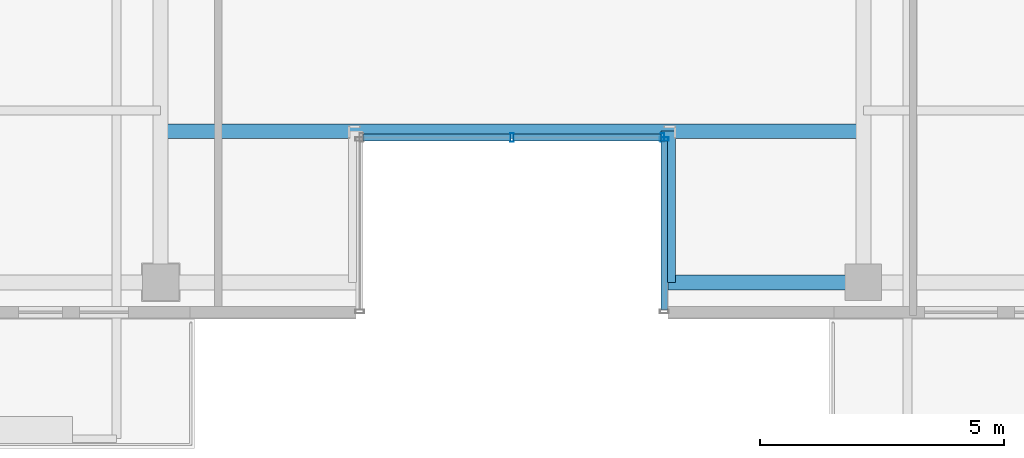
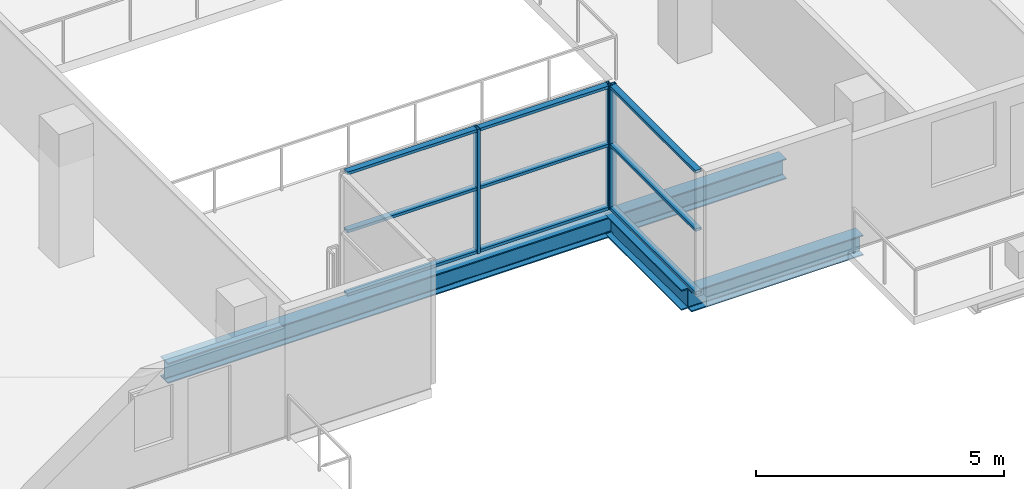
# One storey, part 7 of 25: 12 members, 3 beams, 2 elements without a shape of their own.
"""IFC4 building model written with IfcOpenShell, lengths in metres."""

from ifc_helpers import new_model, si_unit, direction, frame, origin, origin_2d, place, context, subcontext, project, spatial, hollow_rectangle, i_section, extrude, source, transform, mapped, material, layer, layer_set, material_profile, profile_set, type_object, element, aggregate, save


model = new_model("IFC4")

# Units and contexts
model_context = context("Model", 3, precision=1e-05, world=origin(), true_north=direction((0.0, 1.0)))
body_context = subcontext(model_context, "Body", "Model", "MODEL_VIEW")
ifc_project = project(units=[si_unit("LENGTHUNIT", "METRE"), si_unit("AREAUNIT", "SQUARE_METRE"), si_unit("VOLUMEUNIT", "CUBIC_METRE"), si_unit("PLANEANGLEUNIT", "RADIAN"), si_unit("MASSUNIT", "GRAM", prefix="KILO")], contexts=[model_context])

# Site, building, storey
site_placement = place(None, origin())
site = spatial("IfcSite", under=ifc_project, at=site_placement, CompositionType="ELEMENT")
building_placement = place(site_placement, origin())
building = spatial("IfcBuilding", under=site, at=building_placement, Name="Zarnakvel Exchange Tower", CompositionType="ELEMENT")
storey_placement = place(building_placement, frame((0.0, 0.0, 156.10009765625)))
storey = spatial("IfcBuildingStorey", under=building, at=storey_placement, Name="L43", CompositionType="ELEMENT", Elevation=156.10009765625)

# Beams
ifc_material_1 = material(Name="Steel S355", Category="steel")
ifc_material_profile_1 = material_profile(ifc_material_1, i_section(OverallWidth=0.300048828125, OverallDepth=0.5, WebThickness=0.014404296875, FlangeThickness=0.028076171875, FilletRadius=0.027099609375, at=origin_2d()))
ifc_profile_set_1 = profile_set([ifc_material_profile_1], Name="Steel S355")
beam_type_1 = type_object("IfcBeamType", Name="G-06", PredefinedType="BEAM", material=ifc_profile_set_1)
beam_1_placement = place(storey_placement, frame((3.199951171875, -16.64990234375, -0.47509765625), z_axis=(0.0, 1.0, 0.0), x_axis=(-1.0, 0.0, 0.0)))
element("IfcBeam", 1, at=beam_1_placement, inside=storey, type_object=beam_type_1, Name="L43 South Slot East Cheek Beam", PredefinedType="BEAM", context=body_context, shape_type="SweptSolid", body=[
    extrude(i_section(OverallWidth=0.300048828125, OverallDepth=0.5, WebThickness=0.014404296875, FlangeThickness=0.028076171875, FilletRadius=0.027099609375, at=origin_2d()), origin(), (0.0, 0.0, 1.0), 3.099853515625),
])
ifc_material_profile_2 = material_profile(ifc_material_1, i_section(OverallWidth=0.300048828125, OverallDepth=0.5, WebThickness=0.014404296875, FlangeThickness=0.028076171875, FilletRadius=0.027099609375, at=origin_2d()))
ifc_profile_set_2 = profile_set([ifc_material_profile_2], Name="Steel S355")
beam_type_2 = type_object("IfcBeamType", Name="SP-02", PredefinedType="SPANDREL", material=ifc_profile_set_2)
beam_2_placement = place(storey_placement, frame((3.199951171875, -16.64990234375, -0.47509765625), z_axis=(1.0, 0.0, 0.0), x_axis=(0.0, 1.0, 0.0)))
element("IfcBeam", 2, at=beam_2_placement, inside=storey, type_object=beam_type_2, Name="L43 South Slot East Jamb Spandrel", PredefinedType="SPANDREL", context=body_context, shape_type="SweptSolid", body=[
    extrude(i_section(OverallWidth=0.300048828125, OverallDepth=0.5, WebThickness=0.014404296875, FlangeThickness=0.028076171875, FilletRadius=0.027099609375, at=origin_2d()), origin(), (0.0, 0.0, 1.0), 4.0),
])
beam_3_placement = place(storey_placement, frame((-7.199951171875, -13.550048828125, -0.47509765625), z_axis=(1.0, 0.0, 0.0), x_axis=(0.0, 1.0, 0.0)))
element("IfcBeam", 3, at=beam_3_placement, inside=storey, type_object=beam_type_2, Name="L43 South Slot Head Trimmer Girder", PredefinedType="SPANDREL", context=body_context, shape_type="SweptSolid", body=[
    extrude(i_section(OverallWidth=0.300048828125, OverallDepth=0.5, WebThickness=0.014404296875, FlangeThickness=0.028076171875, FilletRadius=0.027099609375, at=origin_2d()), origin(), (0.0, 0.0, 1.0), 14.39990234375),
])

# Curtain wall, members
ifc_material_2 = material(Name="Architectural Bronze Anodised Aluminium", Category="aluminium")
ifc_layer = layer(ifc_material_2, 0.179931640625)
ifc_layer_set = layer_set([ifc_layer], Name="Architectural Bronze Anodised Aluminium")
curtain_wall_type = type_object("IfcCurtainWallType", Name="CW-05", PredefinedType="NOTDEFINED", material=ifc_layer_set)
curtain_wall_1_placement = place(storey_placement, origin())
curtain_wall_1 = element("IfcCurtainWall", 4, at=curtain_wall_1_placement, inside=storey, type_object=curtain_wall_type, Name="L43 Curtain Wall CW-L43-SLE (CW-05)", PredefinedType="NOTDEFINED")
ifc_material_profile_3 = material_profile(ifc_material_2, hollow_rectangle(XDim=0.139892578125, YDim=0.070068359375, WallThickness=0.00390625, at=origin_2d()))
ifc_profile_set_3 = profile_set([ifc_material_profile_3], Name="Architectural Bronze Anodised Aluminium")
member_type_1 = type_object("IfcMemberType", Name="CWT-05", PredefinedType="USERDEFINED", material=ifc_profile_set_3)
shared_shape_1 = source(origin(), body_context, "Body", "SweptSolid", [
    extrude(hollow_rectangle(XDim=0.139892578125, YDim=0.070068359375, WallThickness=0.00390625, at=origin_2d()), origin(), (0.0, 0.0, 1.0), 3.4599609375),
])
member_1_placement = place(storey_placement, frame((3.1201171875, -13.75, 0.034912109375), z_axis=(0.0, -1.0, 0.0), x_axis=(1.0, 0.0, 0.0)))
member_1 = element("IfcMember", 5, at=member_1_placement, type_object=member_type_1, Name="CW-05 transom 1.1", ObjectType="TRANSOM", PredefinedType="USERDEFINED", context=body_context, shape_type="MappedRepresentation", body=[
    mapped(shared_shape_1, transform((0.0, 0.0, 0.0), x_axis=(1.0, 0.0, 0.0), y_axis=(0.0, 1.0, 0.0), z_axis=(0.0, 0.0, 1.0), scale=1.0)),
])
member_2_placement = place(storey_placement, frame((3.1201171875, -13.75, 1.588623046875), z_axis=(0.0, -1.0, 0.0), x_axis=(1.0, 0.0, 0.0)))
member_2 = element("IfcMember", 6, at=member_2_placement, type_object=member_type_1, Name="CW-05 transom 1.2", ObjectType="TRANSOM", PredefinedType="USERDEFINED", context=body_context, shape_type="MappedRepresentation", body=[
    mapped(shared_shape_1, transform((0.0, 0.0, 0.0), x_axis=(1.0, 0.0, 0.0), y_axis=(0.0, 1.0, 0.0), z_axis=(0.0, 0.0, 1.0), scale=1.0)),
])
member_3_placement = place(storey_placement, frame((3.1201171875, -13.75, 3.02001953125), z_axis=(0.0, -1.0, 0.0), x_axis=(1.0, 0.0, 0.0)))
member_3 = element("IfcMember", 7, at=member_3_placement, type_object=member_type_1, Name="CW-05 transom 1.3", ObjectType="TRANSOM", PredefinedType="USERDEFINED", context=body_context, shape_type="MappedRepresentation", body=[
    mapped(shared_shape_1, transform((0.0, 0.0, 0.0), x_axis=(1.0, 0.0, 0.0), y_axis=(0.0, 1.0, 0.0), z_axis=(0.0, 0.0, 1.0), scale=1.0)),
])

curtain_wall_2_placement = place(storey_placement, origin())
curtain_wall_2 = element("IfcCurtainWall", 8, at=curtain_wall_2_placement, inside=storey, type_object=curtain_wall_type, Name="L43 Curtain Wall CW-L43-SLB (CW-05)", PredefinedType="NOTDEFINED")
shared_shape_2 = source(origin(), body_context, "Body", "SweptSolid", [
    extrude(hollow_rectangle(XDim=0.139892578125, YDim=0.070068359375, WallThickness=0.00390625, at=origin_2d()), origin(), (0.0, 0.0, 1.0), 3.01513671875),
])
member_4_placement = place(storey_placement, frame((-3.050048828125, -13.679931640625, 0.034912109375), z_axis=(1.0, 0.0, 0.0), x_axis=(0.0, 1.0, 0.0)))
member_4 = element("IfcMember", 9, at=member_4_placement, type_object=member_type_1, Name="CW-05 transom 1.1", ObjectType="TRANSOM", PredefinedType="USERDEFINED", context=body_context, shape_type="MappedRepresentation", body=[
    mapped(shared_shape_2, transform((0.0, 0.0, 0.0), x_axis=(1.0, 0.0, 0.0), y_axis=(0.0, 1.0, 0.0), z_axis=(0.0, 0.0, 1.0), scale=1.0)),
])
member_5_placement = place(storey_placement, frame((-3.050048828125, -13.679931640625, 1.588623046875), z_axis=(1.0, 0.0, 0.0), x_axis=(0.0, 1.0, 0.0)))
member_5 = element("IfcMember", 10, at=member_5_placement, type_object=member_type_1, Name="CW-05 transom 1.2", ObjectType="TRANSOM", PredefinedType="USERDEFINED", context=body_context, shape_type="MappedRepresentation", body=[
    mapped(shared_shape_2, transform((0.0, 0.0, 0.0), x_axis=(1.0, 0.0, 0.0), y_axis=(0.0, 1.0, 0.0), z_axis=(0.0, 0.0, 1.0), scale=1.0)),
])
member_6_placement = place(storey_placement, frame((-3.050048828125, -13.679931640625, 3.02001953125), z_axis=(1.0, 0.0, 0.0), x_axis=(0.0, 1.0, 0.0)))
member_6 = element("IfcMember", 11, at=member_6_placement, type_object=member_type_1, Name="CW-05 transom 1.3", ObjectType="TRANSOM", PredefinedType="USERDEFINED", context=body_context, shape_type="MappedRepresentation", body=[
    mapped(shared_shape_2, transform((0.0, 0.0, 0.0), x_axis=(1.0, 0.0, 0.0), y_axis=(0.0, 1.0, 0.0), z_axis=(0.0, 0.0, 1.0), scale=1.0)),
])
member_7_placement = place(storey_placement, frame((0.034912109375, -13.679931640625, 0.034912109375), z_axis=(1.0, 0.0, 0.0), x_axis=(0.0, 1.0, 0.0)))
member_7 = element("IfcMember", 12, at=member_7_placement, type_object=member_type_1, Name="CW-05 transom 2.1", ObjectType="TRANSOM", PredefinedType="USERDEFINED", context=body_context, shape_type="MappedRepresentation", body=[
    mapped(shared_shape_2, transform((0.0, 0.0, 0.0), x_axis=(1.0, 0.0, 0.0), y_axis=(0.0, 1.0, 0.0), z_axis=(0.0, 0.0, 1.0), scale=1.0)),
])
member_8_placement = place(storey_placement, frame((0.034912109375, -13.679931640625, 1.588623046875), z_axis=(1.0, 0.0, 0.0), x_axis=(0.0, 1.0, 0.0)))
member_8 = element("IfcMember", 13, at=member_8_placement, type_object=member_type_1, Name="CW-05 transom 2.2", ObjectType="TRANSOM", PredefinedType="USERDEFINED", context=body_context, shape_type="MappedRepresentation", body=[
    mapped(shared_shape_2, transform((0.0, 0.0, 0.0), x_axis=(1.0, 0.0, 0.0), y_axis=(0.0, 1.0, 0.0), z_axis=(0.0, 0.0, 1.0), scale=1.0)),
])
member_9_placement = place(storey_placement, frame((0.034912109375, -13.679931640625, 3.02001953125), z_axis=(1.0, 0.0, 0.0), x_axis=(0.0, 1.0, 0.0)))
member_9 = element("IfcMember", 14, at=member_9_placement, type_object=member_type_1, Name="CW-05 transom 2.3", ObjectType="TRANSOM", PredefinedType="USERDEFINED", context=body_context, shape_type="MappedRepresentation", body=[
    mapped(shared_shape_2, transform((0.0, 0.0, 0.0), x_axis=(1.0, 0.0, 0.0), y_axis=(0.0, 1.0, 0.0), z_axis=(0.0, 0.0, 1.0), scale=1.0)),
])
ifc_material_profile_4 = material_profile(ifc_material_2, hollow_rectangle(XDim=0.179931640625, YDim=0.070068359375, WallThickness=0.00390625, at=origin_2d()))
ifc_profile_set_4 = profile_set([ifc_material_profile_4], Name="Architectural Bronze Anodised Aluminium")
member_type_2 = type_object("IfcMemberType", Name="CWM-05", PredefinedType="MULLION", material=ifc_profile_set_4)
shared_shape_3 = source(origin(), body_context, "Body", "SweptSolid", [
    extrude(hollow_rectangle(XDim=0.179931640625, YDim=0.070068359375, WallThickness=0.00390625, at=origin_2d()), origin(), (0.0, 0.0, 1.0), 3.054931640625),
])
member_10_placement = place(storey_placement, frame((0.0, -13.679931640625, 0.0), z_axis=(0.0, 0.0, 1.0), x_axis=(0.0, 1.0, 0.0)))
member_10 = element("IfcMember", 15, at=member_10_placement, type_object=member_type_2, Name="CW-05 mullion 2", PredefinedType="MULLION", context=body_context, shape_type="MappedRepresentation", body=[
    mapped(shared_shape_3, transform((0.0, 0.0, 0.0), x_axis=(1.0, 0.0, 0.0), y_axis=(0.0, 1.0, 0.0), z_axis=(0.0, 0.0, 1.0), scale=1.0)),
])
member_11_placement = place(storey_placement, frame((3.0849609375, -13.679931640625, 0.0), z_axis=(0.0, 0.0, 1.0), x_axis=(0.0, 1.0, 0.0)))
member_11 = element("IfcMember", 16, at=member_11_placement, type_object=member_type_2, Name="CW-05 mullion 3", PredefinedType="MULLION", context=body_context, shape_type="MappedRepresentation", body=[
    mapped(shared_shape_3, transform((0.0, 0.0, 0.0), x_axis=(1.0, 0.0, 0.0), y_axis=(0.0, 1.0, 0.0), z_axis=(0.0, 0.0, 1.0), scale=1.0)),
])
aggregate(curtain_wall_2, [member_10, member_11, member_4, member_5, member_6, member_7, member_8, member_9])

# Member
member_12_placement = place(storey_placement, frame((3.1201171875, -13.715087890625, 0.0), z_axis=(0.0, 0.0, 1.0), x_axis=(1.0, 0.0, 0.0)))
member_12 = element("IfcMember", 17, at=member_12_placement, type_object=member_type_2, Name="CW-05 mullion 1", PredefinedType="MULLION", context=body_context, shape_type="MappedRepresentation", body=[
    mapped(shared_shape_3, transform((0.0, 0.0, 0.0), x_axis=(1.0, 0.0, 0.0), y_axis=(0.0, 1.0, 0.0), z_axis=(0.0, 0.0, 1.0), scale=1.0)),
])

aggregate(curtain_wall_1, [member_12, member_1, member_2, member_3])

save(model, "model.ifc")
